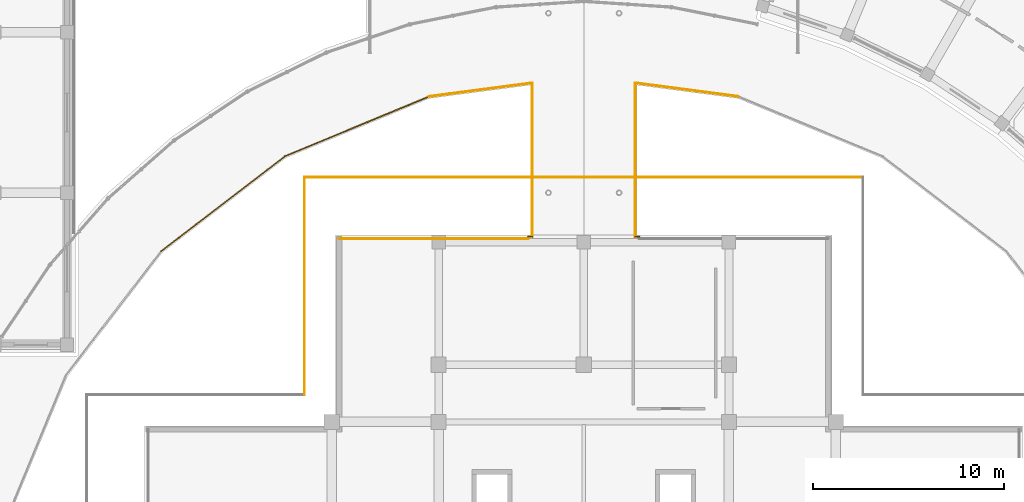
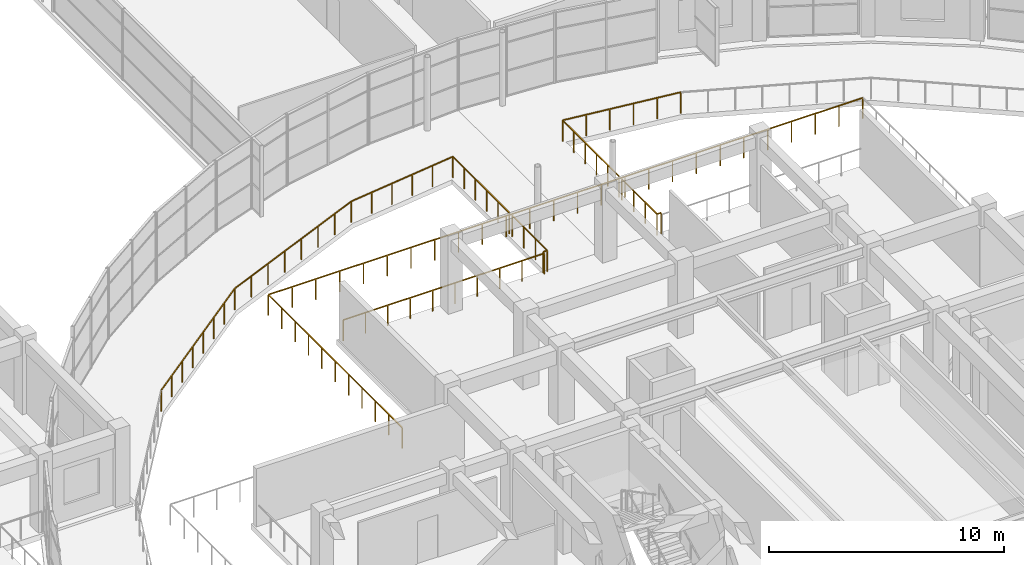
# One storey, part 75 of 83: 13 railings.
"""IFC4 building model written with IfcOpenShell, lengths in metres."""

import ifcopenshell
import ifcopenshell.guid

model = None  # the IFC model being written
_history = None  # IfcOwnerHistory: only IFC2X3 demands one
_inside = {}  # id of a spatial element -> (the spatial element, [elements in it])
_under = {}  # id of a project, library or spatial element -> (it, [spatial elements below it])
_declared = {}  # id of a project -> (the project, [libraries it declares])
_typed = {}  # id of a type object -> (the type object, [elements of that type])
_made_of = {}  # id of a material, layer set ... -> (it, [elements and type objects made of it])


def new_model(schema):
    """Start an empty IFC model of exactly this schema.

    Asked for "IFC4X3", IfcOpenShell would pick the latest addendum, in which some entities
    have other attributes; the version numbers below select the first issue.
    IFC2X3 requires an IfcOwnerHistory on every rooted entity: one is made here for all.
    """
    global model, _history
    if schema == "IFC4X3":
        model = ifcopenshell.file(schema_version=(4, 3, 0, 0))
    else:
        model = ifcopenshell.file(schema=schema)
    _inside.clear()
    _under.clear()
    _declared.clear()
    _typed.clear()
    _made_of.clear()
    _history = None
    if model.schema == "IFC2X3":
        org = make("IfcOrganization", Name="unknown")
        user = make(
            "IfcPersonAndOrganization",
            ThePerson=make("IfcPerson", FamilyName="unknown"),
            TheOrganization=org,
        )
        app = make(
            "IfcApplication",
            ApplicationDeveloper=org,
            Version="unknown",
            ApplicationFullName="unknown",
            ApplicationIdentifier="unknown",
        )
        _history = make(
            "IfcOwnerHistory",
            OwningUser=user,
            OwningApplication=app,
            ChangeAction="ADDED",
            CreationDate=0,
        )
    return model


def make(cls, **values):
    """One entity of the class cls with the attributes given. An attribute that is None is left unset."""
    return model.create_entity(
        cls, **{name: value for name, value in values.items() if value is not None}
    )


def rooted(cls, **values):
    """An entity with a GlobalId (a new one), such as an element, a storey or a relation."""
    return make(cls, GlobalId=ifcopenshell.guid.new(), OwnerHistory=_history, **values)


def si_unit(unit_type, name, prefix=None):
    """IfcSIUnit, for example si_unit("LENGTHUNIT", "METRE", prefix="MILLI")."""
    return make("IfcSIUnit", UnitType=unit_type, Prefix=prefix, Name=name)


def assignment(units):
    """IfcUnitAssignment: the units of a project."""
    return None if units is None else make("IfcUnitAssignment", Units=units)


def point(xyz):
    """IfcCartesianPoint."""
    return None if xyz is None else make("IfcCartesianPoint", Coordinates=xyz)


def direction(xyz):
    """IfcDirection."""
    return None if xyz is None else make("IfcDirection", DirectionRatios=xyz)


def frame(location, z_axis=None, x_axis=None):
    """IfcAxis2Placement3D, a coordinate frame: its origin and axes. An axis left out is left unset."""
    return make(
        "IfcAxis2Placement3D",
        Location=point(location),
        Axis=direction(z_axis),
        RefDirection=direction(x_axis),
    )


def frame_2d(location, x_axis=None):
    """IfcAxis2Placement2D, a coordinate frame in the plane: its origin and x axis."""
    return make(
        "IfcAxis2Placement2D", Location=point(location), RefDirection=direction(x_axis)
    )


def origin():
    """The frame at (0, 0, 0) with its axes left unset."""
    return frame((0.0, 0.0, 0.0))


def origin_2d():
    """The frame at (0, 0) in the plane with its x axis left unset."""
    return frame_2d((0.0, 0.0))


def place(relative_to, where):
    """IfcLocalPlacement: puts the frame where relative to a parent placement (None: the world)."""
    return make(
        "IfcLocalPlacement", PlacementRelTo=relative_to, RelativePlacement=where
    )


def context(
    kind, dimensions, precision=None, world=None, true_north=None, identifier=None
):
    """IfcGeometricRepresentationContext, for example the 3D "Model" context."""
    return make(
        "IfcGeometricRepresentationContext",
        ContextIdentifier=identifier,
        ContextType=kind,
        CoordinateSpaceDimension=dimensions,
        Precision=precision,
        WorldCoordinateSystem=world,
        TrueNorth=true_north,
    )


def subcontext(parent, identifier, kind, view, scale=None):
    """IfcGeometricRepresentationSubContext, for example "Body" below "Model"."""
    return make(
        "IfcGeometricRepresentationSubContext",
        ContextIdentifier=identifier,
        ContextType=kind,
        ParentContext=parent,
        TargetScale=scale,
        TargetView=view,
    )


def project(units=None, contexts=None):
    """IfcProject with its units and contexts."""
    return rooted(
        "IfcProject",
        Name="project",
        RepresentationContexts=contexts,
        UnitsInContext=assignment(units),
    )


def spatial(cls, under=None, at=None, **own):
    """A site, building, storey or space (cls), placed at a placement, below another one or the project."""
    s = rooted(cls, ObjectPlacement=at, **own)
    if under is not None:
        _under.setdefault(under.id(), (under, []))[1].append(s)
    return s


def profile(cls, at=None, kind="AREA", **sizes):
    """A parametric profile (cls). Its sizes go by their IFC names, for example OverallWidth=200.0."""
    return make(cls, ProfileType=kind, Position=at, **sizes)


def rectangle(**sizes):
    """IfcRectangleProfileDef."""
    return profile("IfcRectangleProfileDef", **sizes)


def extrude(swept, where, along, depth):
    """IfcExtrudedAreaSolid: the profile swept, set in the frame where, extruded along a direction by depth."""
    return make(
        "IfcExtrudedAreaSolid",
        SweptArea=swept,
        Position=where,
        ExtrudedDirection=direction(along),
        Depth=depth,
    )


def shape(context_of_items, identifier, shape_type, items):
    """IfcShapeRepresentation: the items that make up one representation, for example the "Body"."""
    return make(
        "IfcShapeRepresentation",
        ContextOfItems=context_of_items,
        RepresentationIdentifier=identifier,
        RepresentationType=shape_type,
        Items=items,
    )


def material(Name=None, Category=None):
    """IfcMaterial."""
    return make("IfcMaterial", Name=Name, Category=Category)


def layer(
    of_material, thickness, ventilated=None, Name=None, Category=None, Priority=None
):
    """IfcMaterialLayer: one layer of a wall or slab, of a material (None: an air gap)."""
    return make(
        "IfcMaterialLayer",
        Material=of_material,
        LayerThickness=thickness,
        IsVentilated=ventilated,
        Name=Name,
        Category=Category,
        Priority=Priority,
    )


def layer_set(layers, Name=None):
    """IfcMaterialLayerSet."""
    return make("IfcMaterialLayerSet", MaterialLayers=layers, LayerSetName=Name)


def made_of(thing, what):
    """Note that an element or type object is made of a material, layer set ...; save() writes the relation."""
    if what is not None:
        _made_of.setdefault(what.id(), (what, []))[1].append(thing)
    return thing


def type_object(cls, material=None, **own):
    """A type object (cls), such as IfcWallType, which elements share."""
    return made_of(rooted(cls, **own), material)


def element(
    cls,
    number,
    at=None,
    inside=None,
    cuts=None,
    type_object=None,
    material=None,
    context=None,
    identifier="Body",
    shape_type=None,
    held_by="IfcProductDefinitionShape",
    body=None,
    shapes=None,
    **own,
):
    """One element of the class cls, such as IfcWall. Its Tag is "e" and its number.

    at: its placement. inside: the storey or other place that contains it. cuts: it is an
    opening in that element (IfcRelVoidsElement). A single representation is given by context,
    identifier, shape_type and body (its items); several are given by shapes. held_by: the class
    of the entity that holds the representations. save() writes the other relations.
    """
    e = rooted(cls, Tag="e%d" % number, ObjectPlacement=at, **own)
    if body is not None:
        shapes = [shape(context, identifier, shape_type, body)]
    if shapes is not None:
        e.Representation = make(held_by, Representations=shapes)
    if inside is not None:
        _inside.setdefault(inside.id(), (inside, []))[1].append(e)
    if cuts is not None:
        rooted(
            "IfcRelVoidsElement", RelatingBuildingElement=cuts, RelatedOpeningElement=e
        )
    if type_object is not None:
        _typed.setdefault(type_object.id(), (type_object, []))[1].append(e)
    return made_of(e, material)


def aggregate(whole, parts):
    """IfcRelAggregates: a whole, such as a stair, and the parts it consists of."""
    return rooted("IfcRelAggregates", RelatingObject=whole, RelatedObjects=parts)


def save(model, path):
    """Write the relations noted so far, then the file.

    IfcRelAggregates (storeys below a building ...), IfcRelContainedInSpatialStructure (elements
    in a storey), IfcRelDefinesByType, IfcRelAssociatesMaterial and IfcRelDeclares: one each for
    every whole, place, type object, material and project.
    """
    for whole, parts in _under.values():
        aggregate(whole, parts)
    for where, things in _inside.values():
        rooted(
            "IfcRelContainedInSpatialStructure",
            RelatedElements=things,
            RelatingStructure=where,
        )
    for kind, things in _typed.values():
        rooted("IfcRelDefinesByType", RelatedObjects=things, RelatingType=kind)
    for what, things in _made_of.values():
        rooted("IfcRelAssociatesMaterial", RelatedObjects=things, RelatingMaterial=what)
    for by, libraries in _declared.values():
        rooted("IfcRelDeclares", RelatingContext=by, RelatedDefinitions=libraries)
    model.write(path)


model = new_model("IFC4")

# Units and contexts
model_context = context("Model", 3, precision=1e-05, world=origin(), true_north=direction((0.0, 1.0)))
body_context = subcontext(model_context, "Body", "Model", "MODEL_VIEW")
ifc_project = project(units=[si_unit("LENGTHUNIT", "METRE"), si_unit("AREAUNIT", "SQUARE_METRE"), si_unit("VOLUMEUNIT", "CUBIC_METRE"), si_unit("PLANEANGLEUNIT", "RADIAN"), si_unit("MASSUNIT", "GRAM", prefix="KILO")], contexts=[model_context])

# Site, building, storey
site_placement = place(None, origin())
site = spatial("IfcSite", under=ifc_project, at=site_placement, CompositionType="ELEMENT")
building_placement = place(site_placement, origin())
building = spatial("IfcBuilding", under=site, at=building_placement, Name="Saryqyr Civic Hall", CompositionType="ELEMENT")
storey_placement = place(building_placement, frame((0.0, 0.0, 9.14990234375)))
storey = spatial("IfcBuildingStorey", under=building, at=storey_placement, Name="L02", CompositionType="ELEMENT", Elevation=9.14990234375)

# Railings
ifc_material_1 = material(Name="Stainless steel and laminated glass", Category="steel")
ifc_layer_1 = layer(ifc_material_1, 0.06005859375, Name="Stainless steel and laminated glass")
ifc_layer_set_1 = layer_set([ifc_layer_1], Name="Stainless steel and laminated glass")
railing_type_1 = type_object("IfcRailingType", Name="ENV-RLG-BAL-1100", PredefinedType="BALUSTRADE", material=ifc_layer_set_1)
railing_1_placement = place(storey_placement, frame((71.6201171875, 110.02001953125, 0.0)))
element("IfcRailing", 1, at=railing_1_placement, inside=storey, type_object=railing_type_1, Name="Perimeter safety balustrade V1-STEPG-L02-G07", PredefinedType="BALUSTRADE", context=body_context, shape_type="SweptSolid", body=[
    extrude(rectangle(XDim=0.048095703125, YDim=0.048095703125, at=origin_2d()), frame((0.0, 0.0, 1.076171875), z_axis=(-1.0, 0.0, 0.0), x_axis=(0.0, -1.0, 0.0)), (0.0, 0.0, 1.0), 29.240234375),
    extrude(rectangle(XDim=0.0419921875, YDim=0.0419921875, at=origin_2d()), origin(), (0.0, 0.0, 1.0), 1.052001953125),
    extrude(rectangle(XDim=0.0419921875, YDim=0.0419921875, at=origin_2d()), frame((-1.169677734375, 0.0, 0.0)), (0.0, 0.0, 1.0), 1.052001953125),
    extrude(rectangle(XDim=0.0419921875, YDim=0.0419921875, at=origin_2d()), frame((-2.339111328125, 0.0, 0.0)), (0.0, 0.0, 1.0), 1.052001953125),
    extrude(rectangle(XDim=0.0419921875, YDim=0.0419921875, at=origin_2d()), frame((-3.5087890625, 0.0, 0.0)), (0.0, 0.0, 1.0), 1.052001953125),
    extrude(rectangle(XDim=0.0419921875, YDim=0.0419921875, at=origin_2d()), frame((-4.678466796875, 0.0, 0.0)), (0.0, 0.0, 1.0), 1.052001953125),
    extrude(rectangle(XDim=0.0419921875, YDim=0.0419921875, at=origin_2d()), frame((-5.84814453125, 0.0, 0.0)), (0.0, 0.0, 1.0), 1.052001953125),
    extrude(rectangle(XDim=0.0419921875, YDim=0.0419921875, at=origin_2d()), frame((-7.017578125, 0.0, 0.0)), (0.0, 0.0, 1.0), 1.052001953125),
    extrude(rectangle(XDim=0.0419921875, YDim=0.0419921875, at=origin_2d()), frame((-8.187255859375, 0.0, 0.0)), (0.0, 0.0, 1.0), 1.052001953125),
    extrude(rectangle(XDim=0.0419921875, YDim=0.0419921875, at=origin_2d()), frame((-9.35693359375, 0.0, 0.0)), (0.0, 0.0, 1.0), 1.052001953125),
    extrude(rectangle(XDim=0.0419921875, YDim=0.0419921875, at=origin_2d()), frame((-10.5263671875, 0.0, 0.0)), (0.0, 0.0, 1.0), 1.052001953125),
    extrude(rectangle(XDim=0.0419921875, YDim=0.0419921875, at=origin_2d()), frame((-11.696044921875, 0.0, 0.0)), (0.0, 0.0, 1.0), 1.052001953125),
    extrude(rectangle(XDim=0.0419921875, YDim=0.0419921875, at=origin_2d()), frame((-12.86572265625, 0.0, 0.0)), (0.0, 0.0, 1.0), 1.052001953125),
    extrude(rectangle(XDim=0.0419921875, YDim=0.0419921875, at=origin_2d()), frame((-14.035400390625, 0.0, 0.0)), (0.0, 0.0, 1.0), 1.052001953125),
    extrude(rectangle(XDim=0.0419921875, YDim=0.0419921875, at=origin_2d()), frame((-15.204833984375, 0.0, 0.0)), (0.0, 0.0, 1.0), 1.052001953125),
    extrude(rectangle(XDim=0.0419921875, YDim=0.0419921875, at=origin_2d()), frame((-16.37451171875, 0.0, 0.0)), (0.0, 0.0, 1.0), 1.052001953125),
    extrude(rectangle(XDim=0.0419921875, YDim=0.0419921875, at=origin_2d()), frame((-17.544189453125, 0.0, 0.0)), (0.0, 0.0, 1.0), 1.052001953125),
    extrude(rectangle(XDim=0.0419921875, YDim=0.0419921875, at=origin_2d()), frame((-18.7138671875, 0.0, 0.0)), (0.0, 0.0, 1.0), 1.052001953125),
    extrude(rectangle(XDim=0.0419921875, YDim=0.0419921875, at=origin_2d()), frame((-19.88330078125, 0.0, 0.0)), (0.0, 0.0, 1.0), 1.052001953125),
    extrude(rectangle(XDim=0.0419921875, YDim=0.0419921875, at=origin_2d()), frame((-21.052978515625, 0.0, 0.0)), (0.0, 0.0, 1.0), 1.052001953125),
    extrude(rectangle(XDim=0.0419921875, YDim=0.0419921875, at=origin_2d()), frame((-22.22265625, 0.0, 0.0)), (0.0, 0.0, 1.0), 1.052001953125),
    extrude(rectangle(XDim=0.0419921875, YDim=0.0419921875, at=origin_2d()), frame((-23.39208984375, 0.0, 0.0)), (0.0, 0.0, 1.0), 1.052001953125),
    extrude(rectangle(XDim=0.0419921875, YDim=0.0419921875, at=origin_2d()), frame((-24.561767578125, 0.0, 0.0)), (0.0, 0.0, 1.0), 1.052001953125),
    extrude(rectangle(XDim=0.0419921875, YDim=0.0419921875, at=origin_2d()), frame((-25.7314453125, 0.0, 0.0)), (0.0, 0.0, 1.0), 1.052001953125),
    extrude(rectangle(XDim=0.0419921875, YDim=0.0419921875, at=origin_2d()), frame((-26.901123046875, 0.0, 0.0)), (0.0, 0.0, 1.0), 1.052001953125),
    extrude(rectangle(XDim=0.0419921875, YDim=0.0419921875, at=origin_2d()), frame((-28.070556640625, 0.0, 0.0)), (0.0, 0.0, 1.0), 1.052001953125),
    extrude(rectangle(XDim=0.0419921875, YDim=0.0419921875, at=origin_2d()), frame((-29.240234375, 0.0, 0.0)), (0.0, 0.0, 1.0), 1.052001953125),
])
railing_2_placement = place(storey_placement, frame((42.3798828125, 110.02001953125, 0.0)))
element("IfcRailing", 2, at=railing_2_placement, inside=storey, type_object=railing_type_1, Name="Perimeter safety balustrade V1-STEPG-L02-G08", PredefinedType="BALUSTRADE", context=body_context, shape_type="SweptSolid", body=[
    extrude(rectangle(XDim=0.048095703125, YDim=0.048095703125, at=origin_2d()), frame((0.0, 0.0, 1.076171875), z_axis=(0.0, -1.0, 0.0), x_axis=(1.0, 0.0, 0.0)), (0.0, 0.0, 1.0), 11.39990234375),
    extrude(rectangle(XDim=0.0419921875, YDim=0.0419921875, at=origin_2d()), origin(), (0.0, 0.0, 1.0), 1.052001953125),
    extrude(rectangle(XDim=0.0419921875, YDim=0.0419921875, at=origin_2d()), frame((0.0, -1.139892578125, 0.0)), (0.0, 0.0, 1.0), 1.052001953125),
    extrude(rectangle(XDim=0.0419921875, YDim=0.0419921875, at=origin_2d()), frame((0.0, -2.280029296875, 0.0)), (0.0, 0.0, 1.0), 1.052001953125),
    extrude(rectangle(XDim=0.0419921875, YDim=0.0419921875, at=origin_2d()), frame((0.0, -3.419921875, 0.0)), (0.0, 0.0, 1.0), 1.052001953125),
    extrude(rectangle(XDim=0.0419921875, YDim=0.0419921875, at=origin_2d()), frame((0.0, -4.56005859375, 0.0)), (0.0, 0.0, 1.0), 1.052001953125),
    extrude(rectangle(XDim=0.0419921875, YDim=0.0419921875, at=origin_2d()), frame((0.0, -5.699951171875, 0.0)), (0.0, 0.0, 1.0), 1.052001953125),
    extrude(rectangle(XDim=0.0419921875, YDim=0.0419921875, at=origin_2d()), frame((0.0, -6.83984375, 0.0)), (0.0, 0.0, 1.0), 1.052001953125),
    extrude(rectangle(XDim=0.0419921875, YDim=0.0419921875, at=origin_2d()), frame((0.0, -7.97998046875, 0.0)), (0.0, 0.0, 1.0), 1.052001953125),
    extrude(rectangle(XDim=0.0419921875, YDim=0.0419921875, at=origin_2d()), frame((0.0, -9.119873046875, 0.0)), (0.0, 0.0, 1.0), 1.052001953125),
    extrude(rectangle(XDim=0.0419921875, YDim=0.0419921875, at=origin_2d()), frame((0.0, -10.260009765625, 0.0)), (0.0, 0.0, 1.0), 1.052001953125),
    extrude(rectangle(XDim=0.0419921875, YDim=0.0419921875, at=origin_2d()), frame((0.0, -11.39990234375, 0.0)), (0.0, 0.0, 1.0), 1.052001953125),
])
ifc_material_2 = material(Name="Warm brushed brass and laminated glass", Category="glass")
ifc_layer_2 = layer(ifc_material_2, 0.06005859375, Name="Warm brushed brass and laminated glass")
ifc_layer_set_2 = layer_set([ifc_layer_2], Name="Warm brushed brass and laminated glass")
railing_type_2 = type_object("IfcRailingType", Name="INT-RLG-BAL-1100", PredefinedType="BALUSTRADE", material=ifc_layer_set_2)
railing_3_placement = place(storey_placement, frame((44.199951171875, 106.800048828125, 0.0)))
element("IfcRailing", 3, at=railing_3_placement, inside=storey, type_object=railing_type_2, Name="Perimeter safety balustrade V1-JNTGA-L02-05-G01", PredefinedType="BALUSTRADE", context=body_context, shape_type="SweptSolid", body=[
    extrude(rectangle(XDim=0.048095703125, YDim=0.048095703125, at=origin_2d()), frame((0.0, 0.0, 1.076171875), z_axis=(1.0, 0.0, 0.0), x_axis=(0.0, 1.0, 0.0)), (0.0, 0.0, 1.0), 9.900146484375),
    extrude(rectangle(XDim=0.0419921875, YDim=0.0419921875, at=origin_2d()), origin(), (0.0, 0.0, 1.0), 1.052001953125),
    extrude(rectangle(XDim=0.0419921875, YDim=0.0419921875, at=origin_2d()), frame((1.10009765625, 0.0, 0.0)), (0.0, 0.0, 1.0), 1.052001953125),
    extrude(rectangle(XDim=0.0419921875, YDim=0.0419921875, at=origin_2d()), frame((2.199951171875, 0.0, 0.0)), (0.0, 0.0, 1.0), 1.052001953125),
    extrude(rectangle(XDim=0.0419921875, YDim=0.0419921875, at=origin_2d()), frame((3.300048828125, 0.0, 0.0)), (0.0, 0.0, 1.0), 1.052001953125),
    extrude(rectangle(XDim=0.0419921875, YDim=0.0419921875, at=origin_2d()), frame((4.400146484375, 0.0, 0.0)), (0.0, 0.0, 1.0), 1.052001953125),
    extrude(rectangle(XDim=0.0419921875, YDim=0.0419921875, at=origin_2d()), frame((5.5, 0.0, 0.0)), (0.0, 0.0, 1.0), 1.052001953125),
    extrude(rectangle(XDim=0.0419921875, YDim=0.0419921875, at=origin_2d()), frame((6.60009765625, 0.0, 0.0)), (0.0, 0.0, 1.0), 1.052001953125),
    extrude(rectangle(XDim=0.0419921875, YDim=0.0419921875, at=origin_2d()), frame((7.7001953125, 0.0, 0.0)), (0.0, 0.0, 1.0), 1.052001953125),
    extrude(rectangle(XDim=0.0419921875, YDim=0.0419921875, at=origin_2d()), frame((8.800048828125, 0.0, 0.0)), (0.0, 0.0, 1.0), 1.052001953125),
    extrude(rectangle(XDim=0.0419921875, YDim=0.0419921875, at=origin_2d()), frame((9.900146484375, 0.0, 0.0)), (0.0, 0.0, 1.0), 1.052001953125),
])
railing_4_placement = place(storey_placement, frame((65.101318359375, 114.234375, 0.0)))
element("IfcRailing", 4, at=railing_4_placement, inside=storey, type_object=railing_type_2, Name="Interior deck safety balustrade L02-071", PredefinedType="BALUSTRADE", context=body_context, shape_type="SweptSolid", body=[
    extrude(rectangle(XDim=0.048095703125, YDim=0.048095703125, at=origin_2d()), frame((0.0, 0.0, 1.09619140625), z_axis=(-0.99144880359, 0.130496244624, 0.0), x_axis=(-0.130496244624, -0.99144880359, 0.0)), (0.0, 0.0, 1.0), 5.447998046875),
    extrude(rectangle(XDim=0.0419921875, YDim=0.0419921875, at=origin_2d()), origin(), (0.0, 0.0, 1.0), 1.072021484375),
    extrude(rectangle(XDim=0.0419921875, YDim=0.0419921875, at=origin_2d()), frame((-1.080322265625, 0.14208984375, 0.0)), (0.0, 0.0, 1.0), 1.072021484375),
    extrude(rectangle(XDim=0.0419921875, YDim=0.0419921875, at=origin_2d()), frame((-2.16064453125, 0.284423828125, 0.0)), (0.0, 0.0, 1.0), 1.072021484375),
    extrude(rectangle(XDim=0.0419921875, YDim=0.0419921875, at=origin_2d()), frame((-3.24072265625, 0.426513671875, 0.0)), (0.0, 0.0, 1.0), 1.072021484375),
    extrude(rectangle(XDim=0.0419921875, YDim=0.0419921875, at=origin_2d()), frame((-4.321044921875, 0.56884765625, 0.0)), (0.0, 0.0, 1.0), 1.072021484375),
    extrude(rectangle(XDim=0.0419921875, YDim=0.0419921875, at=origin_2d()), frame((-5.4013671875, 0.7109375, 0.0)), (0.0, 0.0, 1.0), 1.072021484375),
])
railing_5_placement = place(storey_placement, frame((59.699951171875, 114.9453125, 0.0)))
element("IfcRailing", 5, at=railing_5_placement, inside=storey, type_object=railing_type_2, Name="Interior deck safety balustrade L02-072", PredefinedType="BALUSTRADE", context=body_context, shape_type="SweptSolid", body=[
    extrude(rectangle(XDim=0.048095703125, YDim=0.048095703125, at=origin_2d()), frame((0.0, 0.0, 1.09619140625), z_axis=(0.0, -1.0, 0.0), x_axis=(1.0, 0.0, 0.0)), (0.0, 0.0, 1.0), 4.805419921875),
    extrude(rectangle(XDim=0.0419921875, YDim=0.0419921875, at=origin_2d()), origin(), (0.0, 0.0, 1.0), 1.072021484375),
    extrude(rectangle(XDim=0.0419921875, YDim=0.0419921875, at=origin_2d()), frame((0.0, -0.961181640625, 0.0)), (0.0, 0.0, 1.0), 1.072021484375),
    extrude(rectangle(XDim=0.0419921875, YDim=0.0419921875, at=origin_2d()), frame((0.0, -1.922119140625, 0.0)), (0.0, 0.0, 1.0), 1.072021484375),
    extrude(rectangle(XDim=0.0419921875, YDim=0.0419921875, at=origin_2d()), frame((0.0, -2.88330078125, 0.0)), (0.0, 0.0, 1.0), 1.072021484375),
    extrude(rectangle(XDim=0.0419921875, YDim=0.0419921875, at=origin_2d()), frame((0.0, -3.84423828125, 0.0)), (0.0, 0.0, 1.0), 1.072021484375),
    extrude(rectangle(XDim=0.0419921875, YDim=0.0419921875, at=origin_2d()), frame((0.0, -4.805419921875, 0.0)), (0.0, 0.0, 1.0), 1.072021484375),
])
railing_6_placement = place(storey_placement, frame((59.699951171875, 109.89990234375, 0.0)))
element("IfcRailing", 6, at=railing_6_placement, inside=storey, type_object=railing_type_2, Name="Interior deck safety balustrade L02-073", PredefinedType="BALUSTRADE", context=body_context, shape_type="SweptSolid", body=[
    extrude(rectangle(XDim=0.048095703125, YDim=0.048095703125, at=origin_2d()), frame((0.0, 0.0, 1.09619140625), z_axis=(0.0, -1.0, 0.0), x_axis=(1.0, 0.0, 0.0)), (0.0, 0.0, 1.0), 3.0),
    extrude(rectangle(XDim=0.0419921875, YDim=0.0419921875, at=origin_2d()), origin(), (0.0, 0.0, 1.0), 1.072021484375),
    extrude(rectangle(XDim=0.0419921875, YDim=0.0419921875, at=origin_2d()), frame((0.0, -1.0, 0.0)), (0.0, 0.0, 1.0), 1.072021484375),
    extrude(rectangle(XDim=0.0419921875, YDim=0.0419921875, at=origin_2d()), frame((0.0, -2.0, 0.0)), (0.0, 0.0, 1.0), 1.072021484375),
    extrude(rectangle(XDim=0.0419921875, YDim=0.0419921875, at=origin_2d()), frame((0.0, -3.0, 0.0)), (0.0, 0.0, 1.0), 1.072021484375),
])
for number, where, name in (
    (7, (59.699951171875, 106.89990234375, 0.0), "Interior deck safety balustrade L02-074"),
    (8, (54.10009765625, 106.89990234375, 0.0), "Interior deck safety balustrade L02-087"),
):
    element("IfcRailing", number, at=place(storey_placement, frame(where)), inside=storey, type_object=railing_type_2, Name=name, PredefinedType="BALUSTRADE", context=body_context, shape_type="SweptSolid", body=[
        extrude(rectangle(XDim=0.048095703125, YDim=0.048095703125, at=origin_2d()), frame((0.0, 0.0, 1.09619140625), z_axis=(1.0, 0.0, 0.0), x_axis=(0.0, 1.0, 0.0)), (0.0, 0.0, 1.0), 0.199951171875),
        extrude(rectangle(XDim=0.0419921875, YDim=0.0419921875, at=origin_2d()), origin(), (0.0, 0.0, 1.0), 1.072021484375),
        extrude(rectangle(XDim=0.0419921875, YDim=0.0419921875, at=origin_2d()), frame((0.199951171875, 0.0, 0.0)), (0.0, 0.0, 1.0), 1.072021484375),
    ])
railing_7_placement = place(storey_placement, frame((54.300048828125, 106.89990234375, 0.0)))
element("IfcRailing", 9, at=railing_7_placement, inside=storey, type_object=railing_type_2, Name="Interior deck safety balustrade L02-088", PredefinedType="BALUSTRADE", context=body_context, shape_type="SweptSolid", body=[
    extrude(rectangle(XDim=0.048095703125, YDim=0.048095703125, at=origin_2d()), frame((0.0, 0.0, 1.09619140625), z_axis=(0.0, 1.0, 0.0), x_axis=(-1.0, 0.0, 0.0)), (0.0, 0.0, 1.0), 3.0),
    extrude(rectangle(XDim=0.0419921875, YDim=0.0419921875, at=origin_2d()), origin(), (0.0, 0.0, 1.0), 1.072021484375),
    extrude(rectangle(XDim=0.0419921875, YDim=0.0419921875, at=origin_2d()), frame((0.0, 1.0, 0.0)), (0.0, 0.0, 1.0), 1.072021484375),
    extrude(rectangle(XDim=0.0419921875, YDim=0.0419921875, at=origin_2d()), frame((0.0, 2.0, 0.0)), (0.0, 0.0, 1.0), 1.072021484375),
    extrude(rectangle(XDim=0.0419921875, YDim=0.0419921875, at=origin_2d()), frame((0.0, 3.0, 0.0)), (0.0, 0.0, 1.0), 1.072021484375),
])
railing_8_placement = place(storey_placement, frame((54.300048828125, 110.139892578125, 0.0)))
element("IfcRailing", 10, at=railing_8_placement, inside=storey, type_object=railing_type_2, Name="Interior deck safety balustrade L02-089", PredefinedType="BALUSTRADE", context=body_context, shape_type="SweptSolid", body=[
    extrude(rectangle(XDim=0.048095703125, YDim=0.048095703125, at=origin_2d()), frame((0.0, 0.0, 1.09619140625), z_axis=(0.0, 1.0, 0.0), x_axis=(-1.0, 0.0, 0.0)), (0.0, 0.0, 1.0), 4.805419921875),
    extrude(rectangle(XDim=0.0419921875, YDim=0.0419921875, at=origin_2d()), origin(), (0.0, 0.0, 1.0), 1.072021484375),
    extrude(rectangle(XDim=0.0419921875, YDim=0.0419921875, at=origin_2d()), frame((0.0, 0.961181640625, 0.0)), (0.0, 0.0, 1.0), 1.072021484375),
    extrude(rectangle(XDim=0.0419921875, YDim=0.0419921875, at=origin_2d()), frame((0.0, 1.922119140625, 0.0)), (0.0, 0.0, 1.0), 1.072021484375),
    extrude(rectangle(XDim=0.0419921875, YDim=0.0419921875, at=origin_2d()), frame((0.0, 2.88330078125, 0.0)), (0.0, 0.0, 1.0), 1.072021484375),
    extrude(rectangle(XDim=0.0419921875, YDim=0.0419921875, at=origin_2d()), frame((0.0, 3.84423828125, 0.0)), (0.0, 0.0, 1.0), 1.072021484375),
    extrude(rectangle(XDim=0.0419921875, YDim=0.0419921875, at=origin_2d()), frame((0.0, 4.805419921875, 0.0)), (0.0, 0.0, 1.0), 1.072021484375),
])
railing_9_placement = place(storey_placement, frame((54.300048828125, 114.9453125, 0.0)))
element("IfcRailing", 11, at=railing_9_placement, inside=storey, type_object=railing_type_2, Name="Interior deck safety balustrade L02-090", PredefinedType="BALUSTRADE", context=body_context, shape_type="SweptSolid", body=[
    extrude(rectangle(XDim=0.048095703125, YDim=0.048095703125, at=origin_2d()), frame((0.0, 0.0, 1.09619140625), z_axis=(-0.99144880359, -0.130496244624, 0.0), x_axis=(0.130496244624, -0.99144880359, 0.0)), (0.0, 0.0, 1.0), 5.447998046875),
    extrude(rectangle(XDim=0.0419921875, YDim=0.0419921875, at=origin_2d()), origin(), (0.0, 0.0, 1.0), 1.072021484375),
    extrude(rectangle(XDim=0.0419921875, YDim=0.0419921875, at=origin_2d()), frame((-1.080322265625, -0.14208984375, 0.0)), (0.0, 0.0, 1.0), 1.072021484375),
    extrude(rectangle(XDim=0.0419921875, YDim=0.0419921875, at=origin_2d()), frame((-2.16064453125, -0.284423828125, 0.0)), (0.0, 0.0, 1.0), 1.072021484375),
    extrude(rectangle(XDim=0.0419921875, YDim=0.0419921875, at=origin_2d()), frame((-3.24072265625, -0.426513671875, 0.0)), (0.0, 0.0, 1.0), 1.072021484375),
    extrude(rectangle(XDim=0.0419921875, YDim=0.0419921875, at=origin_2d()), frame((-4.321044921875, -0.56884765625, 0.0)), (0.0, 0.0, 1.0), 1.072021484375),
    extrude(rectangle(XDim=0.0419921875, YDim=0.0419921875, at=origin_2d()), frame((-5.4013671875, -0.7109375, 0.0)), (0.0, 0.0, 1.0), 1.072021484375),
])
railing_10_placement = place(storey_placement, frame((48.898681640625, 114.234375, 0.0)))
element("IfcRailing", 12, at=railing_10_placement, inside=storey, type_object=railing_type_2, Name="Interior deck safety balustrade L02-091", PredefinedType="BALUSTRADE", context=body_context, shape_type="SweptSolid", body=[
    extrude(rectangle(XDim=0.048095703125, YDim=0.048095703125, at=origin_2d()), frame((0.0, 0.0, 1.09619140625), z_axis=(-0.923878450384, -0.382686044841, 0.0), x_axis=(0.382686044841, -0.923878450384, 0.0)), (0.0, 0.0, 1.0), 8.171142578125),
    extrude(rectangle(XDim=0.0419921875, YDim=0.0419921875, at=origin_2d()), origin(), (0.0, 0.0, 1.0), 1.072021484375),
    extrude(rectangle(XDim=0.0419921875, YDim=0.0419921875, at=origin_2d()), frame((-1.078369140625, -0.44677734375, 0.0)), (0.0, 0.0, 1.0), 1.072021484375),
    extrude(rectangle(XDim=0.0419921875, YDim=0.0419921875, at=origin_2d()), frame((-2.156982421875, -0.893310546875, 0.0)), (0.0, 0.0, 1.0), 1.072021484375),
    extrude(rectangle(XDim=0.0419921875, YDim=0.0419921875, at=origin_2d()), frame((-3.2353515625, -1.340087890625, 0.0)), (0.0, 0.0, 1.0), 1.072021484375),
    extrude(rectangle(XDim=0.0419921875, YDim=0.0419921875, at=origin_2d()), frame((-4.313720703125, -1.786865234375, 0.0)), (0.0, 0.0, 1.0), 1.072021484375),
    extrude(rectangle(XDim=0.0419921875, YDim=0.0419921875, at=origin_2d()), frame((-5.39208984375, -2.233642578125, 0.0)), (0.0, 0.0, 1.0), 1.072021484375),
    extrude(rectangle(XDim=0.0419921875, YDim=0.0419921875, at=origin_2d()), frame((-6.470703125, -2.68017578125, 0.0)), (0.0, 0.0, 1.0), 1.072021484375),
    extrude(rectangle(XDim=0.0419921875, YDim=0.0419921875, at=origin_2d()), frame((-7.549072265625, -3.126953125, 0.0)), (0.0, 0.0, 1.0), 1.072021484375),
])
railing_11_placement = place(storey_placement, frame((41.349609375, 111.107421875, 0.0)))
element("IfcRailing", 13, at=railing_11_placement, inside=storey, type_object=railing_type_2, Name="Interior deck safety balustrade L02-092", PredefinedType="BALUSTRADE", context=body_context, shape_type="SweptSolid", body=[
    extrude(rectangle(XDim=0.048095703125, YDim=0.048095703125, at=origin_2d()), frame((0.0, 0.0, 1.09619140625), z_axis=(-0.793350937865, -0.608764559899, 0.0), x_axis=(0.608764559899, -0.793350937865, 0.0)), (0.0, 0.0, 1.0), 8.171142578125),
    extrude(rectangle(XDim=0.0419921875, YDim=0.0419921875, at=origin_2d()), origin(), (0.0, 0.0, 1.0), 1.072021484375),
    extrude(rectangle(XDim=0.0419921875, YDim=0.0419921875, at=origin_2d()), frame((-0.926025390625, -0.710693359375, 0.0)), (0.0, 0.0, 1.0), 1.072021484375),
    extrude(rectangle(XDim=0.0419921875, YDim=0.0419921875, at=origin_2d()), frame((-1.852294921875, -1.421142578125, 0.0)), (0.0, 0.0, 1.0), 1.072021484375),
    extrude(rectangle(XDim=0.0419921875, YDim=0.0419921875, at=origin_2d()), frame((-2.7783203125, -2.1318359375, 0.0)), (0.0, 0.0, 1.0), 1.072021484375),
    extrude(rectangle(XDim=0.0419921875, YDim=0.0419921875, at=origin_2d()), frame((-3.704345703125, -2.842529296875, 0.0)), (0.0, 0.0, 1.0), 1.072021484375),
    extrude(rectangle(XDim=0.0419921875, YDim=0.0419921875, at=origin_2d()), frame((-4.63037109375, -3.55322265625, 0.0)), (0.0, 0.0, 1.0), 1.072021484375),
    extrude(rectangle(XDim=0.0419921875, YDim=0.0419921875, at=origin_2d()), frame((-5.556640625, -4.263671875, 0.0)), (0.0, 0.0, 1.0), 1.072021484375),
    extrude(rectangle(XDim=0.0419921875, YDim=0.0419921875, at=origin_2d()), frame((-6.482666015625, -4.974365234375, 0.0)), (0.0, 0.0, 1.0), 1.072021484375),
])

save(model, "model.ifc")
